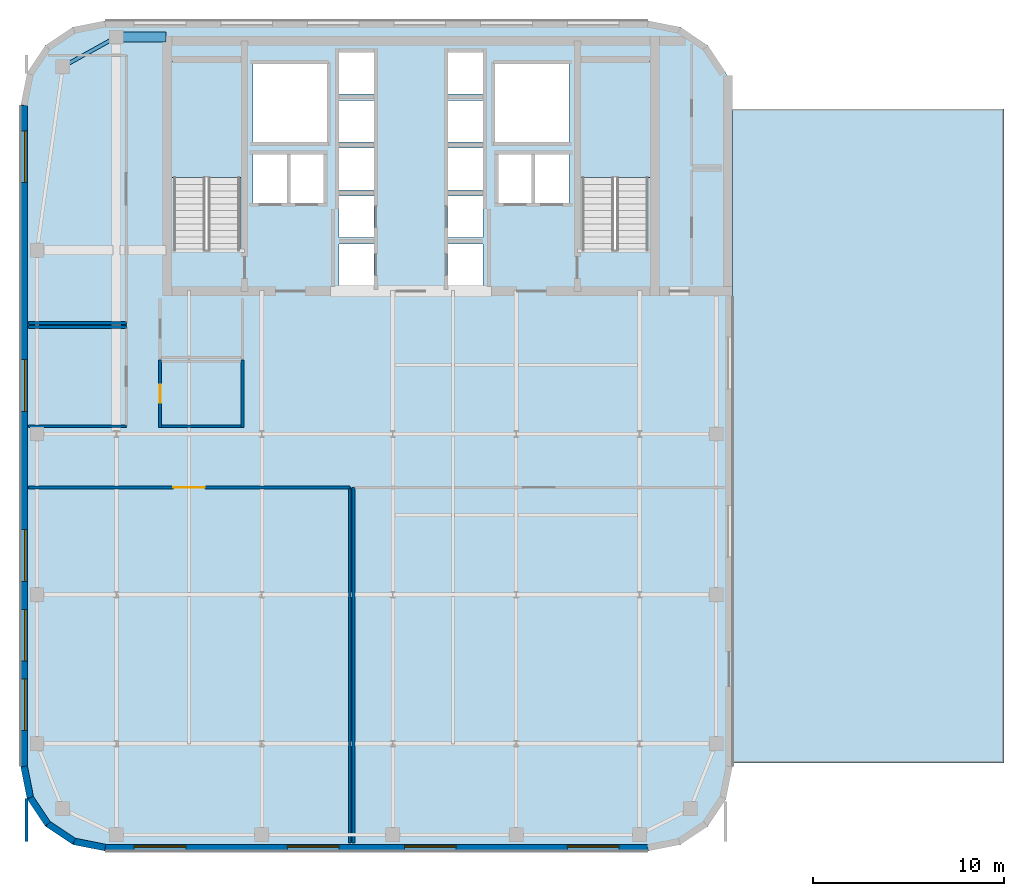
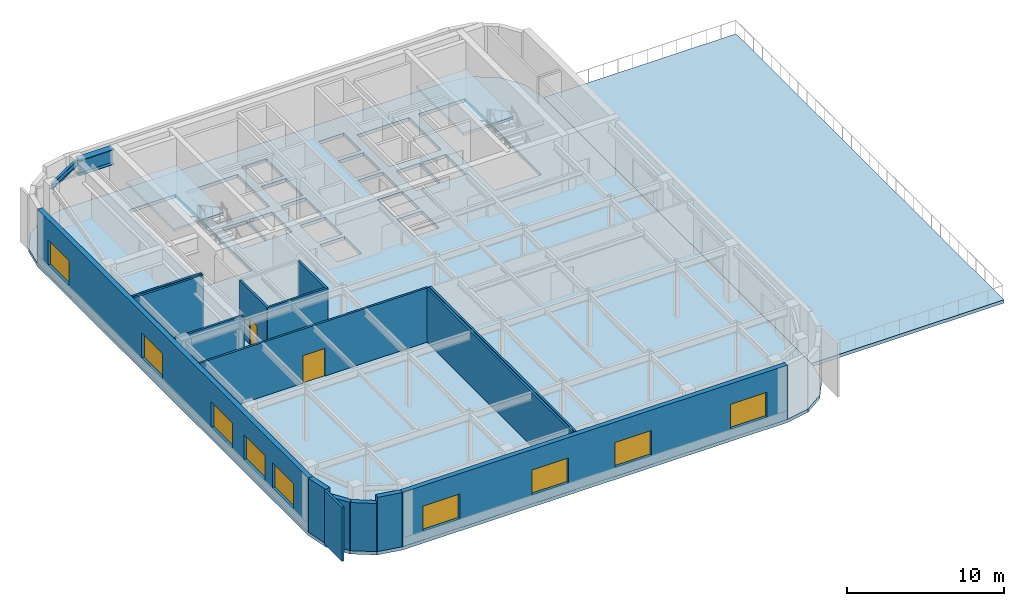
# One storey, part 3 of 10: 16 walls, 9 windows, 4 slabs, 2 beams, 2 doors, 11 openings, 2 elements without a shape of their own.
"""IFC4 building model written with IfcOpenShell, lengths in metres."""

import ifcopenshell
import ifcopenshell.guid

model = None  # the IFC model being written
_history = None  # IfcOwnerHistory: only IFC2X3 demands one
_inside = {}  # id of a spatial element -> (the spatial element, [elements in it])
_under = {}  # id of a project, library or spatial element -> (it, [spatial elements below it])
_declared = {}  # id of a project -> (the project, [libraries it declares])
_typed = {}  # id of a type object -> (the type object, [elements of that type])
_made_of = {}  # id of a material, layer set ... -> (it, [elements and type objects made of it])


def new_model(schema):
    """Start an empty IFC model of exactly this schema.

    Asked for "IFC4X3", IfcOpenShell would pick the latest addendum, in which some entities
    have other attributes; the version numbers below select the first issue.
    IFC2X3 requires an IfcOwnerHistory on every rooted entity: one is made here for all.
    """
    global model, _history
    if schema == "IFC4X3":
        model = ifcopenshell.file(schema_version=(4, 3, 0, 0))
    else:
        model = ifcopenshell.file(schema=schema)
    _inside.clear()
    _under.clear()
    _declared.clear()
    _typed.clear()
    _made_of.clear()
    _history = None
    if model.schema == "IFC2X3":
        org = make("IfcOrganization", Name="unknown")
        user = make(
            "IfcPersonAndOrganization",
            ThePerson=make("IfcPerson", FamilyName="unknown"),
            TheOrganization=org,
        )
        app = make(
            "IfcApplication",
            ApplicationDeveloper=org,
            Version="unknown",
            ApplicationFullName="unknown",
            ApplicationIdentifier="unknown",
        )
        _history = make(
            "IfcOwnerHistory",
            OwningUser=user,
            OwningApplication=app,
            ChangeAction="ADDED",
            CreationDate=0,
        )
    return model


def make(cls, **values):
    """One entity of the class cls with the attributes given. An attribute that is None is left unset."""
    return model.create_entity(
        cls, **{name: value for name, value in values.items() if value is not None}
    )


def rooted(cls, **values):
    """An entity with a GlobalId (a new one), such as an element, a storey or a relation."""
    return make(cls, GlobalId=ifcopenshell.guid.new(), OwnerHistory=_history, **values)


def si_unit(unit_type, name, prefix=None):
    """IfcSIUnit, for example si_unit("LENGTHUNIT", "METRE", prefix="MILLI")."""
    return make("IfcSIUnit", UnitType=unit_type, Prefix=prefix, Name=name)


def assignment(units):
    """IfcUnitAssignment: the units of a project."""
    return None if units is None else make("IfcUnitAssignment", Units=units)


def point(xyz):
    """IfcCartesianPoint."""
    return None if xyz is None else make("IfcCartesianPoint", Coordinates=xyz)


def direction(xyz):
    """IfcDirection."""
    return None if xyz is None else make("IfcDirection", DirectionRatios=xyz)


def frame(location, z_axis=None, x_axis=None):
    """IfcAxis2Placement3D, a coordinate frame: its origin and axes. An axis left out is left unset."""
    return make(
        "IfcAxis2Placement3D",
        Location=point(location),
        Axis=direction(z_axis),
        RefDirection=direction(x_axis),
    )


def frame_2d(location, x_axis=None):
    """IfcAxis2Placement2D, a coordinate frame in the plane: its origin and x axis."""
    return make(
        "IfcAxis2Placement2D", Location=point(location), RefDirection=direction(x_axis)
    )


def origin():
    """The frame at (0, 0, 0) with its axes left unset."""
    return frame((0.0, 0.0, 0.0))


def origin_2d():
    """The frame at (0, 0) in the plane with its x axis left unset."""
    return frame_2d((0.0, 0.0))


def place(relative_to, where):
    """IfcLocalPlacement: puts the frame where relative to a parent placement (None: the world)."""
    return make(
        "IfcLocalPlacement", PlacementRelTo=relative_to, RelativePlacement=where
    )


def context(
    kind, dimensions, precision=None, world=None, true_north=None, identifier=None
):
    """IfcGeometricRepresentationContext, for example the 3D "Model" context."""
    return make(
        "IfcGeometricRepresentationContext",
        ContextIdentifier=identifier,
        ContextType=kind,
        CoordinateSpaceDimension=dimensions,
        Precision=precision,
        WorldCoordinateSystem=world,
        TrueNorth=true_north,
    )


def subcontext(parent, identifier, kind, view, scale=None):
    """IfcGeometricRepresentationSubContext, for example "Body" below "Model"."""
    return make(
        "IfcGeometricRepresentationSubContext",
        ContextIdentifier=identifier,
        ContextType=kind,
        ParentContext=parent,
        TargetScale=scale,
        TargetView=view,
    )


def project(units=None, contexts=None):
    """IfcProject with its units and contexts."""
    return rooted(
        "IfcProject",
        Name="project",
        RepresentationContexts=contexts,
        UnitsInContext=assignment(units),
    )


def spatial(cls, under=None, at=None, **own):
    """A site, building, storey or space (cls), placed at a placement, below another one or the project."""
    s = rooted(cls, ObjectPlacement=at, **own)
    if under is not None:
        _under.setdefault(under.id(), (under, []))[1].append(s)
    return s


def polyline(points):
    """IfcPolyline through the points."""
    return make("IfcPolyline", Points=[point(p) for p in points])


def profile(cls, at=None, kind="AREA", **sizes):
    """A parametric profile (cls). Its sizes go by their IFC names, for example OverallWidth=200.0."""
    return make(cls, ProfileType=kind, Position=at, **sizes)


def rectangle(**sizes):
    """IfcRectangleProfileDef."""
    return profile("IfcRectangleProfileDef", **sizes)


def i_section(**sizes):
    """IfcIShapeProfileDef."""
    return profile("IfcIShapeProfileDef", **sizes)


def outline(outer, holes=None, kind="AREA"):
    """IfcArbitraryClosedProfileDef: a profile drawn as a closed curve; with holes, ...WithVoids."""
    if holes is None:
        return make("IfcArbitraryClosedProfileDef", ProfileType=kind, OuterCurve=outer)
    return make(
        "IfcArbitraryProfileDefWithVoids",
        ProfileType=kind,
        OuterCurve=outer,
        InnerCurves=holes,
    )


def extrude(swept, where, along, depth):
    """IfcExtrudedAreaSolid: the profile swept, set in the frame where, extruded along a direction by depth."""
    return make(
        "IfcExtrudedAreaSolid",
        SweptArea=swept,
        Position=where,
        ExtrudedDirection=direction(along),
        Depth=depth,
    )


def shape(context_of_items, identifier, shape_type, items):
    """IfcShapeRepresentation: the items that make up one representation, for example the "Body"."""
    return make(
        "IfcShapeRepresentation",
        ContextOfItems=context_of_items,
        RepresentationIdentifier=identifier,
        RepresentationType=shape_type,
        Items=items,
    )


def source(mapping_origin, context_of_items, identifier, shape_type, items):
    """IfcRepresentationMap: a shape defined once, which mapped items show again and again."""
    return make(
        "IfcRepresentationMap",
        MappingOrigin=mapping_origin,
        MappedRepresentation=shape(context_of_items, identifier, shape_type, items),
    )


def transform(
    local_origin,
    x_axis=None,
    y_axis=None,
    z_axis=None,
    scale=None,
    scale2=None,
    scale3=None,
    uniform=True,
):
    """IfcCartesianTransformationOperator3D, or its non-uniform kind. x_axis, y_axis, z_axis: its Axis1, 2, 3."""
    if uniform:
        return make(
            "IfcCartesianTransformationOperator3D",
            Axis1=direction(x_axis),
            Axis2=direction(y_axis),
            LocalOrigin=point(local_origin),
            Scale=scale,
            Axis3=direction(z_axis),
        )
    return make(
        "IfcCartesianTransformationOperator3DnonUniform",
        Axis1=direction(x_axis),
        Axis2=direction(y_axis),
        LocalOrigin=point(local_origin),
        Scale=scale,
        Axis3=direction(z_axis),
        Scale2=scale2,
        Scale3=scale3,
    )


def mapped(mapping_source, mapping_target):
    """IfcMappedItem: shows the shape of a source again, moved by a transform."""
    return make(
        "IfcMappedItem", MappingSource=mapping_source, MappingTarget=mapping_target
    )


def material(Name=None, Category=None):
    """IfcMaterial."""
    return make("IfcMaterial", Name=Name, Category=Category)


def layer(
    of_material, thickness, ventilated=None, Name=None, Category=None, Priority=None
):
    """IfcMaterialLayer: one layer of a wall or slab, of a material (None: an air gap)."""
    return make(
        "IfcMaterialLayer",
        Material=of_material,
        LayerThickness=thickness,
        IsVentilated=ventilated,
        Name=Name,
        Category=Category,
        Priority=Priority,
    )


def layer_set(layers, Name=None):
    """IfcMaterialLayerSet."""
    return make("IfcMaterialLayerSet", MaterialLayers=layers, LayerSetName=Name)


def material_profile(
    of_material, cross_section, Name=None, Category=None, Priority=None
):
    """IfcMaterialProfile: a cross section and its material."""
    return make(
        "IfcMaterialProfile",
        Name=Name,
        Material=of_material,
        Profile=cross_section,
        Priority=Priority,
        Category=Category,
    )


def profile_set(profiles, Name=None, composite=None):
    """IfcMaterialProfileSet."""
    return make(
        "IfcMaterialProfileSet",
        Name=Name,
        MaterialProfiles=profiles,
        CompositeProfile=composite,
    )


def made_of(thing, what):
    """Note that an element or type object is made of a material, layer set ...; save() writes the relation."""
    if what is not None:
        _made_of.setdefault(what.id(), (what, []))[1].append(thing)
    return thing


def type_object(cls, material=None, **own):
    """A type object (cls), such as IfcWallType, which elements share."""
    return made_of(rooted(cls, **own), material)


def type_shapes(of_type, sources):
    """Give a type object the sources (RepresentationMaps) that its elements show as mapped items."""
    of_type.RepresentationMaps = sources


def element(
    cls,
    number,
    at=None,
    inside=None,
    cuts=None,
    type_object=None,
    material=None,
    context=None,
    identifier="Body",
    shape_type=None,
    held_by="IfcProductDefinitionShape",
    body=None,
    shapes=None,
    **own,
):
    """One element of the class cls, such as IfcWall. Its Tag is "e" and its number.

    at: its placement. inside: the storey or other place that contains it. cuts: it is an
    opening in that element (IfcRelVoidsElement). A single representation is given by context,
    identifier, shape_type and body (its items); several are given by shapes. held_by: the class
    of the entity that holds the representations. save() writes the other relations.
    """
    e = rooted(cls, Tag="e%d" % number, ObjectPlacement=at, **own)
    if body is not None:
        shapes = [shape(context, identifier, shape_type, body)]
    if shapes is not None:
        e.Representation = make(held_by, Representations=shapes)
    if inside is not None:
        _inside.setdefault(inside.id(), (inside, []))[1].append(e)
    if cuts is not None:
        rooted(
            "IfcRelVoidsElement", RelatingBuildingElement=cuts, RelatedOpeningElement=e
        )
    if type_object is not None:
        _typed.setdefault(type_object.id(), (type_object, []))[1].append(e)
    return made_of(e, material)


def fill(opening, filler):
    """IfcRelFillsElement: the door or window that sits in an opening."""
    return rooted(
        "IfcRelFillsElement",
        RelatingOpeningElement=opening,
        RelatedBuildingElement=filler,
    )


def aggregate(whole, parts):
    """IfcRelAggregates: a whole, such as a stair, and the parts it consists of."""
    return rooted("IfcRelAggregates", RelatingObject=whole, RelatedObjects=parts)


def save(model, path):
    """Write the relations noted so far, then the file.

    IfcRelAggregates (storeys below a building ...), IfcRelContainedInSpatialStructure (elements
    in a storey), IfcRelDefinesByType, IfcRelAssociatesMaterial and IfcRelDeclares: one each for
    every whole, place, type object, material and project.
    """
    for whole, parts in _under.values():
        aggregate(whole, parts)
    for where, things in _inside.values():
        rooted(
            "IfcRelContainedInSpatialStructure",
            RelatedElements=things,
            RelatingStructure=where,
        )
    for kind, things in _typed.values():
        rooted("IfcRelDefinesByType", RelatedObjects=things, RelatingType=kind)
    for what, things in _made_of.values():
        rooted("IfcRelAssociatesMaterial", RelatedObjects=things, RelatingMaterial=what)
    for by, libraries in _declared.values():
        rooted("IfcRelDeclares", RelatingContext=by, RelatedDefinitions=libraries)
    model.write(path)


model = new_model("IFC4")

# Units and contexts
model_context = context("Model", 3, precision=1e-05, world=origin(), true_north=direction((0.0, 1.0)))
body_context = subcontext(model_context, "Body", "Model", "MODEL_VIEW")
ifc_project = project(units=[si_unit("LENGTHUNIT", "METRE"), si_unit("AREAUNIT", "SQUARE_METRE"), si_unit("VOLUMEUNIT", "CUBIC_METRE"), si_unit("PLANEANGLEUNIT", "RADIAN"), si_unit("MASSUNIT", "GRAM", prefix="KILO")], contexts=[model_context])

# Site, building, storey
site_placement = place(None, origin())
site = spatial("IfcSite", under=ifc_project, at=site_placement, CompositionType="ELEMENT")
building_placement = place(site_placement, origin())
building = spatial("IfcBuilding", under=site, at=building_placement, Name="Tolvann Quenvar Hotel", CompositionType="ELEMENT")
storey_placement = place(building_placement, frame((0.0, 0.0, 205.300048828125)))
storey = spatial("IfcBuildingStorey", under=building, at=storey_placement, Name="L54", CompositionType="ELEMENT", Elevation=205.300048828125)

# Beams
ifc_material_1 = material(Name="Steel Grade 350", Category="steel")
ifc_material_profile_1 = material_profile(ifc_material_1, i_section(OverallWidth=0.5, OverallDepth=1.199951171875, WebThickness=0.01611328125, FlangeThickness=0.0400390625, at=origin_2d()), Name="1200WB455")
ifc_profile_set_1 = profile_set([ifc_material_profile_1], Name="Steel Grade 350")
beam_type_1 = type_object("IfcBeamType", Name="BM_TG_1200WB455", PredefinedType="USERDEFINED", material=ifc_profile_set_1)
shared_shape_1 = source(origin(), body_context, "Body", "SweptSolid", [
    extrude(i_section(OverallWidth=0.5, OverallDepth=1.199951171875, WebThickness=0.01611328125, FlangeThickness=0.0400390625, at=origin_2d()), origin(), (0.0, 0.0, 1.0), 2.599853515625),
])
type_shapes(beam_type_1, [shared_shape_1])
beam_1_placement = place(storey_placement, frame((7.60009765625, 45.14990234375, 3.619873046875), z_axis=(1.0, 0.0, 0.0), x_axis=(0.0, 1.0, 0.0)))
element("IfcBeam", 1, at=beam_1_placement, inside=storey, type_object=beam_type_1, Name="BM-L54-CTW-CN", ObjectType="TRANSFER GIRDER", PredefinedType="USERDEFINED", context=body_context, shape_type="MappedRepresentation", body=[
    mapped(shared_shape_1, transform((0.0, 0.0, 0.0), x_axis=(1.0, 0.0, 0.0), y_axis=(0.0, 1.0, 0.0), z_axis=(0.0, 0.0, 1.0), scale=1.0)),
])
ifc_material_profile_2 = material_profile(ifc_material_1, i_section(OverallWidth=0.19091796875, OverallDepth=0.4599609375, WebThickness=0.010009765625, FlangeThickness=0.01611328125, FilletRadius=0.011474609375, at=origin_2d()), Name="460UB82")
ifc_profile_set_2 = profile_set([ifc_material_profile_2], Name="Steel Grade 350")
beam_type_2 = type_object("IfcBeamType", Name="BM_SPAND_460UB82", PredefinedType="SPANDREL", material=ifc_profile_set_2)
shared_shape_2 = source(origin(), body_context, "Body", "SweptSolid", [
    extrude(i_section(OverallWidth=0.19091796875, OverallDepth=0.4599609375, WebThickness=0.010009765625, FlangeThickness=0.01611328125, FilletRadius=0.011474609375, at=origin_2d()), origin(), (0.0, 0.0, 1.0), 3.200439453125),
])
type_shapes(beam_type_2, [shared_shape_2])
beam_2_placement = place(storey_placement, frame((4.800048828125, 43.60009765625, 3.989990234375), z_axis=(0.87492264453, 0.48426270359, 0.0), x_axis=(-0.48426270359, 0.87492264453, 0.0)))
element("IfcBeam", 2, at=beam_2_placement, inside=storey, type_object=beam_type_2, Name="BM-L54-FLK-W3", PredefinedType="SPANDREL", context=body_context, shape_type="MappedRepresentation", body=[
    mapped(shared_shape_2, transform((0.0, 0.0, 0.0), x_axis=(1.0, 0.0, 0.0), y_axis=(0.0, 1.0, 0.0), z_axis=(0.0, 0.0, 1.0), scale=1.0)),
])

# Stair, slab
ifc_material_2 = material(Name="Concrete N40 (40 MPa)", Category="concrete")
stair_type = type_object("IfcStairType", Name="STAIR", PredefinedType="HALF_TURN_STAIR", material=ifc_material_2)
stair_1_placement = place(storey_placement, origin())
stair_1 = element("IfcStair", 3, at=stair_1_placement, inside=storey, type_object=stair_type, Name="L54 ST-C1", PredefinedType="HALF_TURN_STAIR")
ifc_layer_1 = layer(ifc_material_2, 0.199951171875)
ifc_layer_set_1 = layer_set([ifc_layer_1], Name="Concrete N40 (40 MPa)")
slab_type_1 = type_object("IfcSlabType", Name="SLAB_LANDING", PredefinedType="LANDING", material=ifc_layer_set_1)
slab_1_placement = place(storey_placement, frame((0.0, 0.0, 2.0)))
slab_1 = element("IfcSlab", 4, at=slab_1_placement, type_object=slab_type_1, Name="ST-C1 landing 1", PredefinedType="LANDING", context=body_context, shape_type="SweptSolid", body=[
    extrude(outline(polyline([(14.179931640625, 37.794921875), (14.179931640625, 43.8798828125), (10.469970703125, 43.8798828125), (10.469970703125, 37.794921875), (14.179931640625, 37.794921875)])), origin(), (0.0, 0.0, 1.0), 0.199951171875),
])
aggregate(stair_1, [slab_1])

stair_2_placement = place(storey_placement, origin())
stair_2 = element("IfcStair", 5, at=stair_2_placement, inside=storey, type_object=stair_type, Name="L54 ST-C2", PredefinedType="HALF_TURN_STAIR")
slab_2_placement = place(storey_placement, frame((0.0, 0.0, 2.0)))
slab_2 = element("IfcSlab", 6, at=slab_2_placement, type_object=slab_type_1, Name="ST-C2 landing 1", PredefinedType="LANDING", context=body_context, shape_type="SweptSolid", body=[
    extrude(outline(polyline([(35.530029296875, 37.794921875), (35.530029296875, 43.8798828125), (31.820068359375, 43.8798828125), (31.820068359375, 37.794921875), (35.530029296875, 37.794921875)])), origin(), (0.0, 0.0, 1.0), 0.199951171875),
])
aggregate(stair_2, [slab_2])

# Slabs
ifc_material_3 = material(Name="Concrete N50 (50 MPa)", Category="concrete")
ifc_layer_2 = layer(ifc_material_3, 0.260009765625)
ifc_layer_set_2 = layer_set([ifc_layer_2], Name="Concrete N50 (50 MPa)")
slab_type_2 = type_object("IfcSlabType", Name="SLAB_POD_250", PredefinedType="FLOOR", material=ifc_layer_set_2)
slab_3_placement = place(storey_placement, frame((0.0, 0.0, -0.260009765625)))
element("IfcSlab", 7, at=slab_3_placement, inside=storey, type_object=slab_type_2, Name="Level L54 Structural Floor Slab", PredefinedType="FLOOR", context=body_context, shape_type="SweptSolid", body=[
    extrude(outline(polyline([(2.60009765625, 7.0), (2.934814453125, 5.316162109375), (3.888671875, 3.888671875), (5.316162109375, 2.934814453125), (7.0, 2.60009765625), (35.39990234375, 2.60009765625), (37.083740234375, 2.934814453125), (38.51123046875, 3.888671875), (39.465087890625, 5.316162109375), (39.800048828125, 7.0), (39.800048828125, 41.60009765625), (39.465087890625, 43.28369140625), (38.51123046875, 44.711181640625), (37.083740234375, 45.6650390625), (35.39990234375, 46.0), (7.0, 46.0), (5.316162109375, 45.6650390625), (3.888671875, 44.711181640625), (2.934814453125, 43.28369140625), (2.60009765625, 41.60009765625), (2.60009765625, 7.0)]), holes=[polyline([(31.949951171875, 34.02490234375), (31.949951171875, 43.800048828125), (35.39990234375, 43.800048828125), (35.39990234375, 34.02490234375), (31.949951171875, 34.02490234375)]), polyline([(29.449951171875, 39.02001953125), (31.25, 39.02001953125), (31.25, 36.47998046875), (29.449951171875, 36.47998046875), (29.449951171875, 39.02001953125)]), polyline([(31.25, 43.75), (31.25, 39.64990234375), (27.39990234375, 39.64990234375), (27.39990234375, 43.75), (31.25, 43.75)]), polyline([(27.574951171875, 39.02001953125), (29.324951171875, 39.02001953125), (29.324951171875, 36.47998046875), (27.574951171875, 36.47998046875), (27.574951171875, 39.02001953125)]), polyline([(26.77001953125, 44.340087890625), (26.77001953125, 42.159912109375), (24.929931640625, 42.159912109375), (24.929931640625, 44.340087890625), (26.77001953125, 44.340087890625)]), polyline([(24.929931640625, 41.840087890625), (26.77001953125, 41.840087890625), (26.77001953125, 39.659912109375), (24.929931640625, 39.659912109375), (24.929931640625, 41.840087890625)]), polyline([(24.929931640625, 39.340087890625), (26.77001953125, 39.340087890625), (26.77001953125, 37.159912109375), (24.929931640625, 37.159912109375), (24.929931640625, 39.340087890625)]), polyline([(24.929931640625, 36.840087890625), (26.77001953125, 36.840087890625), (26.77001953125, 34.659912109375), (24.929931640625, 34.659912109375), (24.929931640625, 36.840087890625)]), polyline([(24.929931640625, 34.340087890625), (26.77001953125, 34.340087890625), (26.77001953125, 32.159912109375), (24.929931640625, 32.159912109375), (24.929931640625, 34.340087890625)]), polyline([(21.070068359375, 44.340087890625), (21.070068359375, 42.159912109375), (19.22998046875, 42.159912109375), (19.22998046875, 44.340087890625), (21.070068359375, 44.340087890625)]), polyline([(19.22998046875, 41.840087890625), (21.070068359375, 41.840087890625), (21.070068359375, 39.659912109375), (19.22998046875, 39.659912109375), (19.22998046875, 41.840087890625)]), polyline([(19.22998046875, 39.340087890625), (21.070068359375, 39.340087890625), (21.070068359375, 37.159912109375), (19.22998046875, 37.159912109375), (19.22998046875, 39.340087890625)]), polyline([(19.22998046875, 36.840087890625), (21.070068359375, 36.840087890625), (21.070068359375, 34.659912109375), (19.22998046875, 34.659912109375), (19.22998046875, 36.840087890625)]), polyline([(19.22998046875, 34.340087890625), (21.070068359375, 34.340087890625), (21.070068359375, 32.159912109375), (19.22998046875, 32.159912109375), (19.22998046875, 34.340087890625)]), polyline([(18.60009765625, 43.75), (18.60009765625, 39.64990234375), (14.75, 39.64990234375), (14.75, 43.75), (18.60009765625, 43.75)]), polyline([(16.675048828125, 39.02001953125), (18.425048828125, 39.02001953125), (18.425048828125, 36.47998046875), (16.675048828125, 36.47998046875), (16.675048828125, 39.02001953125)]), polyline([(14.75, 39.02001953125), (16.550048828125, 39.02001953125), (16.550048828125, 36.47998046875), (14.75, 36.47998046875), (14.75, 39.02001953125)]), polyline([(10.60009765625, 34.02490234375), (10.60009765625, 43.800048828125), (14.050048828125, 43.800048828125), (14.050048828125, 34.02490234375), (10.60009765625, 34.02490234375)])]), origin(), (0.0, 0.0, 1.0), 0.260009765625),
])
ifc_layer_3 = layer(ifc_material_3, 0.260009765625)
ifc_layer_set_3 = layer_set([ifc_layer_3], Name="Concrete N50 (50 MPa)")
slab_type_3 = type_object("IfcSlabType", Name="SLAB_TER_260", PredefinedType="ROOF", material=ifc_layer_set_3)
slab_4_placement = place(storey_placement, frame((0.0, 0.0, -0.260009765625)))
element("IfcSlab", 8, at=slab_4_placement, inside=storey, type_object=slab_type_3, Name="East Wing Sky Garden Terrace", PredefinedType="ROOF", context=body_context, shape_type="SweptSolid", body=[
    extrude(outline(polyline([(39.800048828125, 7.199951171875), (54.0, 7.199951171875), (54.0, 41.39990234375), (39.800048828125, 41.39990234375), (39.800048828125, 7.199951171875)])), origin(), (0.0, 0.0, 1.0), 0.260009765625),
])

# Walls
ifc_material_4 = material(Name="Kiln-fired red and buff architectural clay brickwork and terracotta masonry", Category="masonry")
ifc_layer_4 = layer(ifc_material_4, 0.35009765625)
ifc_layer_set_4 = layer_set([ifc_layer_4], Name="Kiln-fired red and buff architectural clay brickwork and terracotta masonry")
wall_type_1 = type_object("IfcWallType", Name="WALL_EXT_BRICK_350", PredefinedType="SOLIDWALL", material=ifc_layer_set_4)
for number, where, z_axis, x_axis, name in (
    (9, (3.099609375, 5.384521484375, 0.0), (0.0, 0.0, 1.0), (0.555623290322, -0.831434158098, 0.0), "Exterior Chicago Brick Wall L54-E01"),
    (10, (4.014892578125, 4.014892578125, 0.0), (0.0, 0.0, 1.0), (0.831434158098, -0.555623290322, 0.0), "Exterior Chicago Brick Wall L54-E02"),
):
    element("IfcWall", number, at=place(storey_placement, frame(where, z_axis=z_axis, x_axis=x_axis)), inside=storey, type_object=wall_type_1, Name=name, PredefinedType="SOLIDWALL", context=body_context, shape_type="SweptSolid", body=[
        extrude(rectangle(XDim=1.647216796875, YDim=0.35009765625, at=frame_2d((0.82373046875, 0.0))), origin(), (0.0, 0.0, 1.0), 3.75),
    ])
wall_1_placement = place(storey_placement, frame((5.384521484375, 3.099609375, 0.0), z_axis=(0.0, 0.0, 1.0), x_axis=(0.980788844421, -0.195072403631, 0.0)))
element("IfcWall", 11, at=wall_1_placement, inside=storey, type_object=wall_type_1, Name="Exterior Chicago Brick Wall L54-E03", PredefinedType="SOLIDWALL", context=body_context, shape_type="SweptSolid", body=[
    extrude(rectangle(XDim=1.66455078125, YDim=0.35009765625, at=frame_2d((0.832275390625, 0.0))), origin(), (0.0, 0.0, 1.0), 4.219970703125),
])

# Wall, openings, windows
wall_2_placement = place(storey_placement, frame((7.01708984375, 2.77490234375, 0.0), z_axis=(0.0, 0.0, 1.0), x_axis=(1.0, 0.0, 0.0)))
wall_2 = element("IfcWall", 12, at=wall_2_placement, inside=storey, type_object=wall_type_1, Name="Exterior Chicago Brick Wall L54-E04", PredefinedType="SOLIDWALL", context=body_context, shape_type="SweptSolid", body=[
    extrude(rectangle(XDim=28.36572265625, YDim=0.35009765625, at=frame_2d((14.182861328125, 0.0))), origin(), (0.0, 0.0, 1.0), 4.219970703125),
])
opening_1_placement = place(wall_2_placement, frame((1.513916015625, 0.0, 0.679931640625)))
opening_1 = element("IfcOpeningElement", 13, at=opening_1_placement, cuts=wall_2, Name="Opening W-04", PredefinedType="OPENING", context=body_context, shape_type="SweptSolid", body=[
    extrude(rectangle(XDim=2.699951171875, YDim=1.949951171875, at=frame_2d((1.35009765625, 0.97509765625))), frame((0.0, 0.18505859375, 0.0), z_axis=(0.0, -1.0, 0.0), x_axis=(1.0, 0.0, 0.0)), (0.0, 0.0, 1.0), 0.3701171875),
])
opening_2_placement = place(wall_2_placement, frame((9.51904296875, 0.0, 0.679931640625)))
opening_2 = element("IfcOpeningElement", 14, at=opening_2_placement, cuts=wall_2, Name="Opening W-04", PredefinedType="OPENING", context=body_context, shape_type="SweptSolid", body=[
    extrude(rectangle(XDim=2.699951171875, YDim=1.949951171875, at=frame_2d((1.35009765625, 0.97509765625))), frame((0.0, 0.18505859375, 0.0), z_axis=(0.0, -1.0, 0.0), x_axis=(1.0, 0.0, 0.0)), (0.0, 0.0, 1.0), 0.3701171875),
])
opening_3_placement = place(wall_2_placement, frame((15.64697265625, 0.0, 0.679931640625)))
opening_3 = element("IfcOpeningElement", 15, at=opening_3_placement, cuts=wall_2, Name="Opening W-04", PredefinedType="OPENING", context=body_context, shape_type="SweptSolid", body=[
    extrude(rectangle(XDim=2.699951171875, YDim=1.949951171875, at=frame_2d((1.35009765625, 0.97509765625))), frame((0.0, 0.18505859375, 0.0), z_axis=(0.0, -1.0, 0.0), x_axis=(1.0, 0.0, 0.0)), (0.0, 0.0, 1.0), 0.3701171875),
])
opening_4_placement = place(wall_2_placement, frame((24.152099609375, 0.0, 0.679931640625)))
opening_4 = element("IfcOpeningElement", 16, at=opening_4_placement, cuts=wall_2, Name="Opening W-04", PredefinedType="OPENING", context=body_context, shape_type="SweptSolid", body=[
    extrude(rectangle(XDim=2.699951171875, YDim=1.949951171875, at=frame_2d((1.35009765625, 0.97509765625))), frame((0.0, 0.18505859375, 0.0), z_axis=(0.0, -1.0, 0.0), x_axis=(1.0, 0.0, 0.0)), (0.0, 0.0, 1.0), 0.3701171875),
])
ifc_material_5 = material(Name="Thermally broken bronze-anodised aluminium frame with double low-E glazing", Category="aluminium")
window_type = type_object("IfcWindowType", Name="WIN_STE_2700x2150", PartitioningType="TRIPLE_PANEL_HORIZONTAL", PredefinedType="WINDOW", material=ifc_material_5)
shared_shape_3 = source(origin(), body_context, "Body", "SweptSolid", [
    extrude(rectangle(XDim=2.699951171875, YDim=1.949951171875, at=frame_2d((1.35009765625, 0.97509765625))), frame((0.0, 0.090087890625, 0.0), z_axis=(0.0, -1.0, 0.0), x_axis=(1.0, 0.0, 0.0)), (0.0, 0.0, 1.0), 0.06005859375),
])
type_shapes(window_type, [shared_shape_3])
window_1_placement = place(opening_1_placement, origin())
window_1 = element("IfcWindow", 17, at=window_1_placement, inside=storey, type_object=window_type, Name="Chicago Window W-04 (EW-L54-E04-W01)", OverallHeight=1.949951171875, OverallWidth=2.699951171875, PartitioningType="TRIPLE_PANEL_HORIZONTAL", PredefinedType="WINDOW", context=body_context, shape_type="MappedRepresentation", body=[
    mapped(shared_shape_3, transform((0.0, 0.0, 0.0), x_axis=(1.0, 0.0, 0.0), y_axis=(0.0, 1.0, 0.0), z_axis=(0.0, 0.0, 1.0), scale=1.0)),
])
fill(opening_1, window_1)
window_2_placement = place(opening_2_placement, origin())
window_2 = element("IfcWindow", 18, at=window_2_placement, inside=storey, type_object=window_type, Name="Chicago Window W-04 (EW-L54-E04-W02)", OverallHeight=1.949951171875, OverallWidth=2.699951171875, PartitioningType="TRIPLE_PANEL_HORIZONTAL", PredefinedType="WINDOW", context=body_context, shape_type="MappedRepresentation", body=[
    mapped(shared_shape_3, transform((0.0, 0.0, 0.0), x_axis=(1.0, 0.0, 0.0), y_axis=(0.0, 1.0, 0.0), z_axis=(0.0, 0.0, 1.0), scale=1.0)),
])
fill(opening_2, window_2)
window_3_placement = place(opening_3_placement, origin())
window_3 = element("IfcWindow", 19, at=window_3_placement, inside=storey, type_object=window_type, Name="Chicago Window W-04 (EW-L54-E04-W03)", OverallHeight=1.949951171875, OverallWidth=2.699951171875, PartitioningType="TRIPLE_PANEL_HORIZONTAL", PredefinedType="WINDOW", context=body_context, shape_type="MappedRepresentation", body=[
    mapped(shared_shape_3, transform((0.0, 0.0, 0.0), x_axis=(1.0, 0.0, 0.0), y_axis=(0.0, 1.0, 0.0), z_axis=(0.0, 0.0, 1.0), scale=1.0)),
])
fill(opening_3, window_3)
window_4_placement = place(opening_4_placement, origin())
window_4 = element("IfcWindow", 20, at=window_4_placement, inside=storey, type_object=window_type, Name="Chicago Window W-04 (EW-L54-E04-W04)", OverallHeight=1.949951171875, OverallWidth=2.699951171875, PartitioningType="TRIPLE_PANEL_HORIZONTAL", PredefinedType="WINDOW", context=body_context, shape_type="MappedRepresentation", body=[
    mapped(shared_shape_3, transform((0.0, 0.0, 0.0), x_axis=(1.0, 0.0, 0.0), y_axis=(0.0, 1.0, 0.0), z_axis=(0.0, 0.0, 1.0), scale=1.0)),
])
fill(opening_4, window_4)

wall_3_placement = place(storey_placement, frame((2.77490234375, 41.582763671875, 0.0), z_axis=(0.0, 0.0, 1.0), x_axis=(0.0, -1.0, 0.0)))
wall_3 = element("IfcWall", 21, at=wall_3_placement, inside=storey, type_object=wall_type_1, Name="Exterior Chicago Brick Wall L54-E19", PredefinedType="SOLIDWALL", context=body_context, shape_type="SweptSolid", body=[
    extrude(rectangle(XDim=34.565673828125, YDim=0.35009765625, at=frame_2d((17.28271484375, 0.0))), origin(), (0.0, 0.0, 1.0), 4.219970703125),
])
opening_5_placement = place(wall_3_placement, frame((1.3349609375, 0.0, 0.679931640625)))
opening_5 = element("IfcOpeningElement", 22, at=opening_5_placement, cuts=wall_3, Name="Opening W-04", PredefinedType="OPENING", context=body_context, shape_type="SweptSolid", body=[
    extrude(rectangle(XDim=2.699951171875, YDim=1.949951171875, at=frame_2d((1.35009765625, 0.97509765625))), frame((0.0, 0.18505859375, 0.0), z_axis=(0.0, -1.0, 0.0), x_axis=(1.0, 0.0, 0.0)), (0.0, 0.0, 1.0), 0.3701171875),
])
opening_6_placement = place(wall_3_placement, frame((13.297119140625, 0.0, 0.679931640625)))
opening_6 = element("IfcOpeningElement", 23, at=opening_6_placement, cuts=wall_3, Name="Opening W-04", PredefinedType="OPENING", context=body_context, shape_type="SweptSolid", body=[
    extrude(rectangle(XDim=2.699951171875, YDim=1.949951171875, at=frame_2d((1.35009765625, 0.97509765625))), frame((0.0, 0.18505859375, 0.0), z_axis=(0.0, -1.0, 0.0), x_axis=(1.0, 0.0, 0.0)), (0.0, 0.0, 1.0), 0.3701171875),
])
opening_7_placement = place(wall_3_placement, frame((22.18896484375, 0.0, 0.679931640625)))
opening_7 = element("IfcOpeningElement", 24, at=opening_7_placement, cuts=wall_3, Name="Opening W-04", PredefinedType="OPENING", context=body_context, shape_type="SweptSolid", body=[
    extrude(rectangle(XDim=2.699951171875, YDim=1.949951171875, at=frame_2d((1.35009765625, 0.97509765625))), frame((0.0, 0.18505859375, 0.0), z_axis=(0.0, -1.0, 0.0), x_axis=(1.0, 0.0, 0.0)), (0.0, 0.0, 1.0), 0.3701171875),
])
opening_8_placement = place(wall_3_placement, frame((26.360107421875, 0.0, 0.679931640625)))
opening_8 = element("IfcOpeningElement", 25, at=opening_8_placement, cuts=wall_3, Name="Opening W-04", PredefinedType="OPENING", context=body_context, shape_type="SweptSolid", body=[
    extrude(rectangle(XDim=2.699951171875, YDim=1.949951171875, at=frame_2d((1.35009765625, 0.97509765625))), frame((0.0, 0.18505859375, 0.0), z_axis=(0.0, -1.0, 0.0), x_axis=(1.0, 0.0, 0.0)), (0.0, 0.0, 1.0), 0.3701171875),
])
opening_9_placement = place(wall_3_placement, frame((29.97998046875, 0.0, 0.679931640625)))
opening_9 = element("IfcOpeningElement", 26, at=opening_9_placement, cuts=wall_3, Name="Opening W-04", PredefinedType="OPENING", context=body_context, shape_type="SweptSolid", body=[
    extrude(rectangle(XDim=2.699951171875, YDim=1.949951171875, at=frame_2d((1.35009765625, 0.97509765625))), frame((0.0, 0.18505859375, 0.0), z_axis=(0.0, -1.0, 0.0), x_axis=(1.0, 0.0, 0.0)), (0.0, 0.0, 1.0), 0.3701171875),
])
window_5_placement = place(opening_5_placement, origin())
window_5 = element("IfcWindow", 27, at=window_5_placement, inside=storey, type_object=window_type, Name="Chicago Window W-04 (EW-L54-E19-W01)", OverallHeight=1.949951171875, OverallWidth=2.699951171875, PartitioningType="TRIPLE_PANEL_HORIZONTAL", PredefinedType="WINDOW", context=body_context, shape_type="MappedRepresentation", body=[
    mapped(shared_shape_3, transform((0.0, 0.0, 0.0), x_axis=(1.0, 0.0, 0.0), y_axis=(0.0, 1.0, 0.0), z_axis=(0.0, 0.0, 1.0), scale=1.0)),
])
fill(opening_5, window_5)
window_6_placement = place(opening_6_placement, origin())
window_6 = element("IfcWindow", 28, at=window_6_placement, inside=storey, type_object=window_type, Name="Chicago Window W-04 (EW-L54-E19-W02)", OverallHeight=1.949951171875, OverallWidth=2.699951171875, PartitioningType="TRIPLE_PANEL_HORIZONTAL", PredefinedType="WINDOW", context=body_context, shape_type="MappedRepresentation", body=[
    mapped(shared_shape_3, transform((0.0, 0.0, 0.0), x_axis=(1.0, 0.0, 0.0), y_axis=(0.0, 1.0, 0.0), z_axis=(0.0, 0.0, 1.0), scale=1.0)),
])
fill(opening_6, window_6)
window_7_placement = place(opening_7_placement, origin())
window_7 = element("IfcWindow", 29, at=window_7_placement, inside=storey, type_object=window_type, Name="Chicago Window W-04 (EW-L54-E19-W03)", OverallHeight=1.949951171875, OverallWidth=2.699951171875, PartitioningType="TRIPLE_PANEL_HORIZONTAL", PredefinedType="WINDOW", context=body_context, shape_type="MappedRepresentation", body=[
    mapped(shared_shape_3, transform((0.0, 0.0, 0.0), x_axis=(1.0, 0.0, 0.0), y_axis=(0.0, 1.0, 0.0), z_axis=(0.0, 0.0, 1.0), scale=1.0)),
])
fill(opening_7, window_7)
window_8_placement = place(opening_8_placement, origin())
window_8 = element("IfcWindow", 30, at=window_8_placement, inside=storey, type_object=window_type, Name="Chicago Window W-04 (EW-L54-E19-W04)", OverallHeight=1.949951171875, OverallWidth=2.699951171875, PartitioningType="TRIPLE_PANEL_HORIZONTAL", PredefinedType="WINDOW", context=body_context, shape_type="MappedRepresentation", body=[
    mapped(shared_shape_3, transform((0.0, 0.0, 0.0), x_axis=(1.0, 0.0, 0.0), y_axis=(0.0, 1.0, 0.0), z_axis=(0.0, 0.0, 1.0), scale=1.0)),
])
fill(opening_8, window_8)
window_9_placement = place(opening_9_placement, origin())
window_9 = element("IfcWindow", 31, at=window_9_placement, inside=storey, type_object=window_type, Name="Chicago Window W-04 (EW-L54-E19-W05)", OverallHeight=1.949951171875, OverallWidth=2.699951171875, PartitioningType="TRIPLE_PANEL_HORIZONTAL", PredefinedType="WINDOW", context=body_context, shape_type="MappedRepresentation", body=[
    mapped(shared_shape_3, transform((0.0, 0.0, 0.0), x_axis=(1.0, 0.0, 0.0), y_axis=(0.0, 1.0, 0.0), z_axis=(0.0, 0.0, 1.0), scale=1.0)),
])
fill(opening_9, window_9)

# Wall
wall_4_placement = place(storey_placement, frame((2.77490234375, 7.01708984375, 0.0), z_axis=(0.0, 0.0, 1.0), x_axis=(0.195072403631, -0.980788844421, 0.0)))
element("IfcWall", 32, at=wall_4_placement, inside=storey, type_object=wall_type_1, Name="Exterior Chicago Brick Wall L54-E20", PredefinedType="SOLIDWALL", context=body_context, shape_type="SweptSolid", body=[
    extrude(rectangle(XDim=1.66455078125, YDim=0.35009765625, at=frame_2d((0.832275390625, 0.0))), origin(), (0.0, 0.0, 1.0), 4.219970703125),
])

# Wall, opening, door
ifc_material_6 = material(Name="Acoustic twin-stud fire-rated gypsum plasterboard partition")
ifc_layer_5 = layer(ifc_material_6, 0.14990234375)
ifc_layer_set_5 = layer_set([ifc_layer_5], Name="Acoustic twin-stud fire-rated gypsum plasterboard partition")
wall_type_2 = type_object("IfcWallType", Name="WALL_PART_SUITE_150", PredefinedType="PARTITIONING", material=ifc_layer_set_5)
wall_5_placement = place(storey_placement, frame((3.0048828125, 21.60009765625, 0.0), z_axis=(0.0, 0.0, 1.0), x_axis=(1.0, 0.0, 0.0)))
wall_5 = element("IfcWall", 33, at=wall_5_placement, inside=storey, type_object=wall_type_2, Name="Interior Partition PT-SPC-L54-REC-N", PredefinedType="PARTITIONING", context=body_context, shape_type="SweptSolid", body=[
    extrude(rectangle(XDim=16.795166015625, YDim=0.14990234375, at=frame_2d((8.3974609375, 0.0))), origin(), (0.0, 0.0, 1.0), 4.219970703125),
])
opening_10_placement = place(wall_5_placement, frame((7.572509765625, 0.0, 0.0)))
opening_10 = element("IfcOpeningElement", 34, at=opening_10_placement, cuts=wall_5, Name="Opening AD-01", PredefinedType="OPENING", context=body_context, shape_type="SweptSolid", body=[
    extrude(rectangle(XDim=1.64990234375, YDim=2.14990234375, at=frame_2d((0.824951171875, 1.074951171875))), frame((0.0, 0.0849609375, 0.0), z_axis=(0.0, -1.0, 0.0), x_axis=(1.0, 0.0, 0.0)), (0.0, 0.0, 1.0), 0.169921875),
])
ifc_material_7 = material(Name="Solid-core American oak acoustic fire door leaf in steel frame", Category="steel")
door_type_1 = type_object("IfcDoorType", Name="DOOR_SALON_1650", OperationType="NOTDEFINED", PredefinedType="DOOR", material=ifc_material_7)
shared_shape_4 = source(origin(), body_context, "Body", "SweptSolid", [
    extrude(rectangle(XDim=1.64990234375, YDim=2.14990234375, at=frame_2d((0.824951171875, 1.074951171875))), frame((0.0, 0.02490234375, 0.0), z_axis=(0.0, -1.0, 0.0), x_axis=(1.0, 0.0, 0.0)), (0.0, 0.0, 1.0), 0.050048828125),
])
type_shapes(door_type_1, [shared_shape_4])
door_1_placement = place(opening_10_placement, origin())
door_1 = element("IfcDoor", 35, at=door_1_placement, inside=storey, type_object=door_type_1, Name="Interior Door DOOR-SPC-L54-REC", OperationType="DOUBLE_DOOR_SINGLE_SWING", OverallHeight=2.14990234375, OverallWidth=1.64990234375, PredefinedType="DOOR", context=body_context, shape_type="MappedRepresentation", body=[
    mapped(shared_shape_4, transform((0.0, 0.0, 0.0), x_axis=(1.0, 0.0, 0.0), y_axis=(0.0, 1.0, 0.0), z_axis=(0.0, 0.0, 1.0), scale=1.0)),
])
fill(opening_10, door_1)

# Walls
wall_6_placement = place(storey_placement, frame((2.89990234375, 3.10009765625, 0.0), z_axis=(0.0, 0.0, 1.0), x_axis=(0.0, 1.0, 0.0)))
element("IfcWall", 36, at=wall_6_placement, inside=storey, type_object=wall_type_2, Name="Interior Partition PT-SPC-L54-REC-W", PredefinedType="PARTITIONING", context=body_context, shape_type="SweptSolid", body=[
    extrude(rectangle(XDim=2.244873046875, YDim=0.14990234375, at=frame_2d((1.12255859375, 0.0))), origin(), (0.0, 0.0, 1.0), 4.219970703125),
])
for number, where, z_axis, x_axis, name in (
    (37, (19.800048828125, 3.0048828125, 0.0), (0.0, 0.0, 1.0), (0.0, 1.0, 0.0), "Interior Partition PT-SPC-L54-REC-E"),
    (38, (20.0, 3.0048828125, 0.0), (0.0, 0.0, 1.0), (0.0, 1.0, 0.0), "Interior Partition PT-SPC-L54-BAR-W"),
):
    element("IfcWall", number, at=place(storey_placement, frame(where, z_axis=z_axis, x_axis=x_axis)), inside=storey, type_object=wall_type_2, Name=name, PredefinedType="PARTITIONING", context=body_context, shape_type="SweptSolid", body=[
        extrude(rectangle(XDim=18.59521484375, YDim=0.14990234375, at=frame_2d((9.297607421875, 0.0))), origin(), (0.0, 0.0, 1.0), 4.219970703125),
    ])
wall_7_placement = place(storey_placement, frame((3.0048828125, 30.199951171875, 0.0), z_axis=(0.0, 0.0, 1.0), x_axis=(1.0, 0.0, 0.0)))
element("IfcWall", 39, at=wall_7_placement, inside=storey, type_object=wall_type_2, Name="Interior Partition PT-SPC-L54-VIP-S", PredefinedType="PARTITIONING", context=body_context, shape_type="SweptSolid", body=[
    extrude(rectangle(XDim=5.115234375, YDim=0.14990234375, at=frame_2d((2.5576171875, 0.0))), origin(), (0.0, 0.0, 1.0), 4.219970703125),
])
wall_8_placement = place(storey_placement, frame((9.81005859375, 24.800048828125, 0.0), z_axis=(0.0, 0.0, 1.0), x_axis=(1.0, 0.0, 0.0)))
element("IfcWall", 40, at=wall_8_placement, inside=storey, type_object=wall_type_2, Name="Interior Partition PT-SPC-L54-WC1-S", PredefinedType="PARTITIONING", context=body_context, shape_type="SweptSolid", body=[
    extrude(rectangle(XDim=4.4599609375, YDim=0.14990234375, at=frame_2d((2.22998046875, 0.0))), origin(), (0.0, 0.0, 1.0), 4.219970703125),
])

# Wall, opening, door
wall_9_placement = place(storey_placement, frame((9.8798828125, 24.72998046875, 0.0), z_axis=(0.0, 0.0, 1.0), x_axis=(0.0, 1.0, 0.0)))
wall_9 = element("IfcWall", 41, at=wall_9_placement, inside=storey, type_object=wall_type_2, Name="Interior Partition PT-SPC-L54-WC1-W", PredefinedType="PARTITIONING", context=body_context, shape_type="SweptSolid", body=[
    extrude(rectangle(XDim=3.5400390625, YDim=0.14990234375, at=frame_2d((1.77001953125, 0.0))), origin(), (0.0, 0.0, 1.0), 4.219970703125),
])
opening_11_placement = place(wall_9_placement, frame((1.31005859375, 0.0, 0.0)))
opening_11 = element("IfcOpeningElement", 42, at=opening_11_placement, cuts=wall_9, Name="Opening WD-01", PredefinedType="OPENING", context=body_context, shape_type="SweptSolid", body=[
    extrude(rectangle(XDim=0.919921875, YDim=2.010009765625, at=frame_2d((0.4599609375, 1.0048828125))), frame((0.0, 0.0849609375, 0.0), z_axis=(0.0, -1.0, 0.0), x_axis=(1.0, 0.0, 0.0)), (0.0, 0.0, 1.0), 0.169921875),
])
door_type_2 = type_object("IfcDoorType", Name="DOOR_WC_920", OperationType="NOTDEFINED", PredefinedType="DOOR", material=ifc_material_7)
shared_shape_5 = source(origin(), body_context, "Body", "SweptSolid", [
    extrude(rectangle(XDim=0.919921875, YDim=2.010009765625, at=frame_2d((0.4599609375, 1.0048828125))), frame((0.0, 0.02490234375, 0.0), z_axis=(0.0, -1.0, 0.0), x_axis=(1.0, 0.0, 0.0)), (0.0, 0.0, 1.0), 0.050048828125),
])
type_shapes(door_type_2, [shared_shape_5])
door_2_placement = place(opening_11_placement, origin())
door_2 = element("IfcDoor", 43, at=door_2_placement, inside=storey, type_object=door_type_2, Name="Interior Door DOOR-SPC-L54-WC1", OperationType="SINGLE_SWING_RIGHT", OverallHeight=2.010009765625, OverallWidth=0.919921875, PredefinedType="DOOR", context=body_context, shape_type="MappedRepresentation", body=[
    mapped(shared_shape_5, transform((0.0, 0.0, 0.0), x_axis=(1.0, 0.0, 0.0), y_axis=(0.0, 1.0, 0.0), z_axis=(0.0, 0.0, 1.0), scale=1.0)),
])
fill(opening_11, door_2)

# Walls
wall_10_placement = place(storey_placement, frame((14.199951171875, 24.72998046875, 0.0), z_axis=(0.0, 0.0, 1.0), x_axis=(0.0, 1.0, 0.0)))
element("IfcWall", 44, at=wall_10_placement, inside=storey, type_object=wall_type_2, Name="Interior Partition PT-SPC-L54-WC1-E", PredefinedType="PARTITIONING", context=body_context, shape_type="SweptSolid", body=[
    extrude(rectangle(XDim=3.5400390625, YDim=0.14990234375, at=frame_2d((1.77001953125, 0.0))), origin(), (0.0, 0.0, 1.0), 4.219970703125),
])
for number, where, z_axis, x_axis, name in (
    (45, (3.0048828125, 24.800048828125, 0.0), (0.0, 0.0, 1.0), (1.0, 0.0, 0.0), "Interior Partition PT-SPC-L54-HSK-S"),
    (46, (3.0048828125, 30.0, 0.0), (0.0, 0.0, 1.0), (1.0, 0.0, 0.0), "Interior Partition PT-SPC-L54-HSK-N"),
):
    element("IfcWall", number, at=place(storey_placement, frame(where, z_axis=z_axis, x_axis=x_axis)), inside=storey, type_object=wall_type_2, Name=name, PredefinedType="PARTITIONING", context=body_context, shape_type="SweptSolid", body=[
        extrude(rectangle(XDim=5.115234375, YDim=0.14990234375, at=frame_2d((2.5576171875, 0.0))), origin(), (0.0, 0.0, 1.0), 4.219970703125),
    ])

save(model, "model.ifc")
